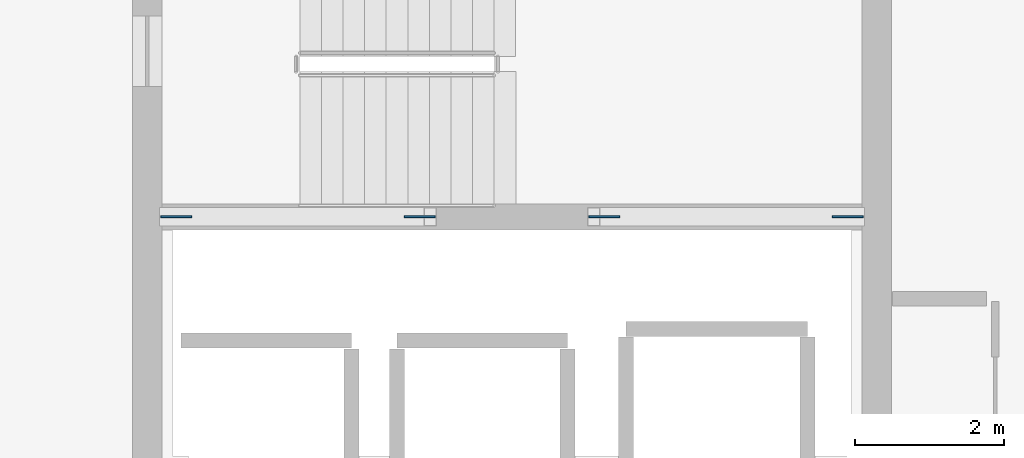
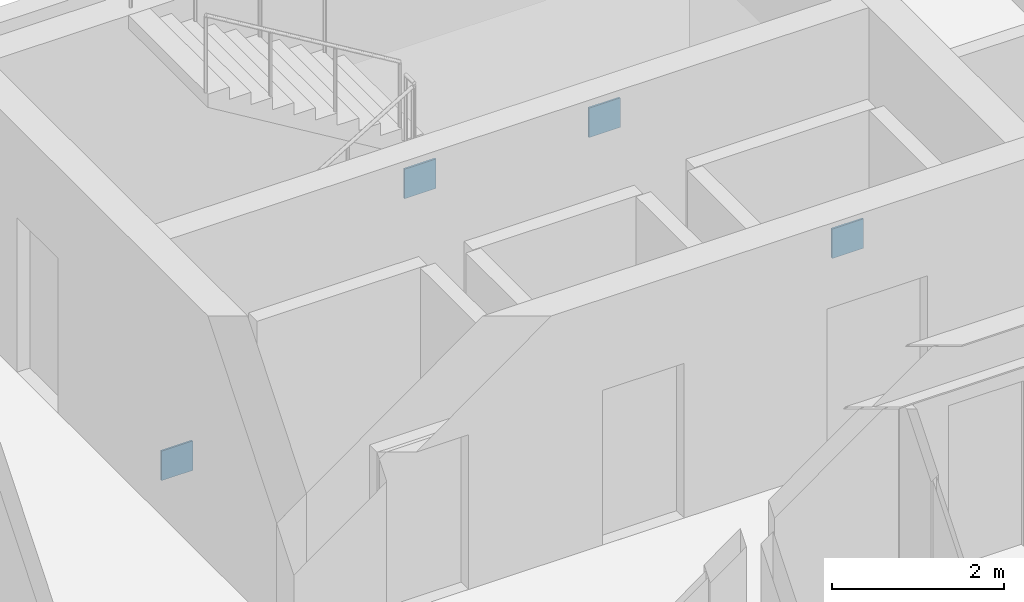
# One storey, part 6 of 17: 4 plates.
"""IFC4 building model written with IfcOpenShell, lengths in metres."""

from ifc_helpers import new_model, si_unit, direction, frame, origin, origin_2d, place, context, subcontext, project, spatial, rectangle, extrude, material, layer, layer_set, type_object, element, save


model = new_model("IFC4")

# Units and contexts
model_context = context("Model", 3, precision=1e-05, world=origin(), true_north=direction((0.0, 1.0)))
body_context = subcontext(model_context, "Body", "Model", "MODEL_VIEW")
ifc_project = project(units=[si_unit("LENGTHUNIT", "METRE"), si_unit("AREAUNIT", "SQUARE_METRE"), si_unit("VOLUMEUNIT", "CUBIC_METRE"), si_unit("PLANEANGLEUNIT", "RADIAN"), si_unit("MASSUNIT", "GRAM", prefix="KILO")], contexts=[model_context])

# Site, building, storey
site_placement = place(None, origin())
site = spatial("IfcSite", under=ifc_project, at=site_placement, CompositionType="ELEMENT")
building_placement = place(site_placement, origin())
building = spatial("IfcBuilding", under=site, at=building_placement, Name="Sollismere Congress Hotel", CompositionType="ELEMENT")
storey_placement = place(building_placement, frame((0.0, 0.0, 37.60009765625)))
storey = spatial("IfcBuildingStorey", under=building, at=storey_placement, Name="L09", CompositionType="ELEMENT", Elevation=37.60009765625)

# Plates
ifc_material = material(Name="Steel ASTM A572 Grade 50", Category="steel")
ifc_layer = layer(ifc_material, 0.02490234375, Name="Steel ASTM A572 Grade 50")
ifc_layer_set = layer_set([ifc_layer], Name="Steel ASTM A572 Grade 50")
plate_type = type_object("IfcPlateType", Name="PL-GS25", PredefinedType="USERDEFINED", material=ifc_layer_set)
for number, where, z_axis, x_axis, name in (
    (1, (94.18994140625, 14.35009765625, -0.030029296875), (0.0, 0.0, 1.0), (1.0, 0.0, 0.0), "PLT-GBF-BF-019-A"),
    (2, (97.4599609375, 14.35009765625, 2.8349609375), (0.0, 0.0, 1.0), (1.0, 0.0, 0.0), "PLT-GBF-BF-019-B"),
    (3, (103.2099609375, 14.35009765625, -0.030029296875), (0.0, 0.0, 1.0), (1.0, 0.0, 0.0), "PLT-GBF-BF-020-A"),
    (4, (99.93994140625, 14.35009765625, 2.8349609375), (0.0, 0.0, 1.0), (1.0, 0.0, 0.0), "PLT-GBF-BF-020-B"),
):
    element("IfcPlate", number, at=place(storey_placement, frame(where, z_axis=z_axis, x_axis=x_axis)), inside=storey, type_object=plate_type, Name=name, ObjectType="GUSSET PLATE", PredefinedType="USERDEFINED", context=body_context, shape_type="SweptSolid", body=[
        extrude(rectangle(XDim=0.419921875, YDim=0.02490234375, at=origin_2d()), origin(), (0.0, 0.0, 1.0), 0.419921875),
    ])

save(model, "model.ifc")
